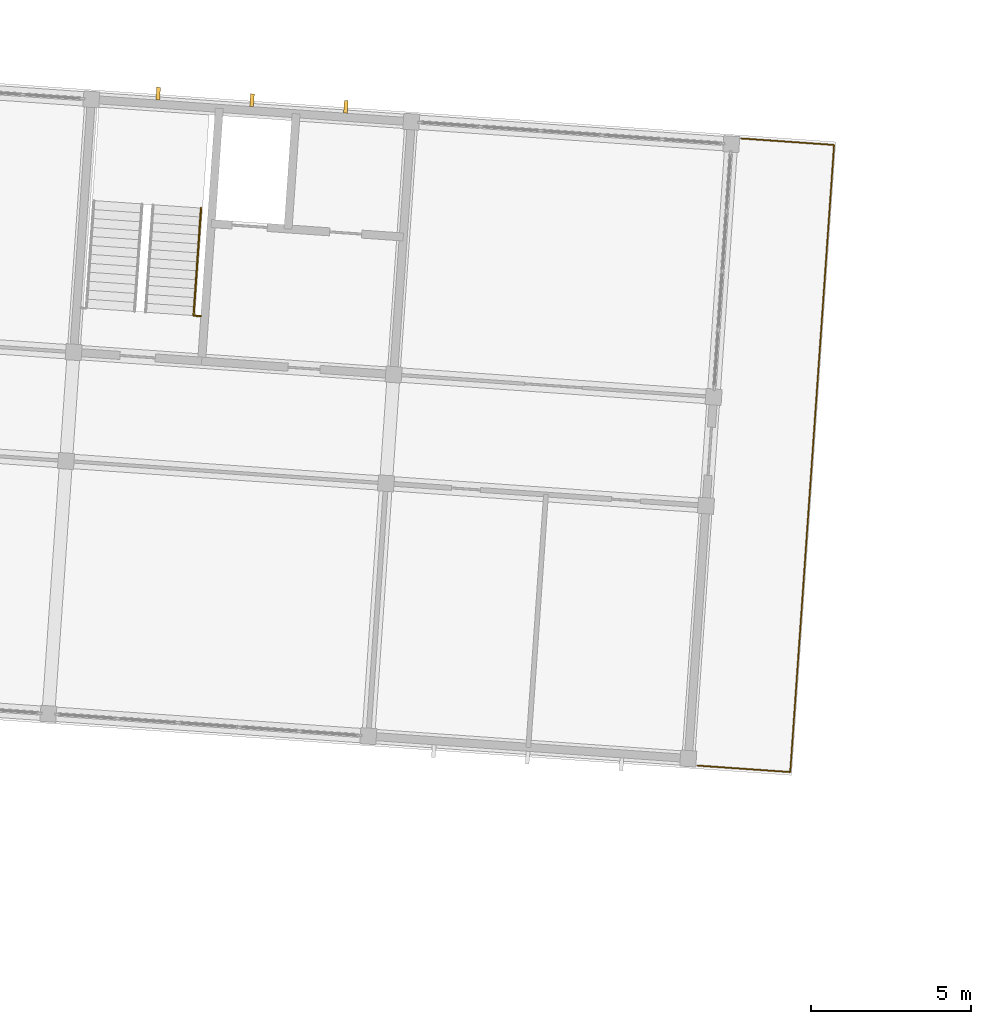
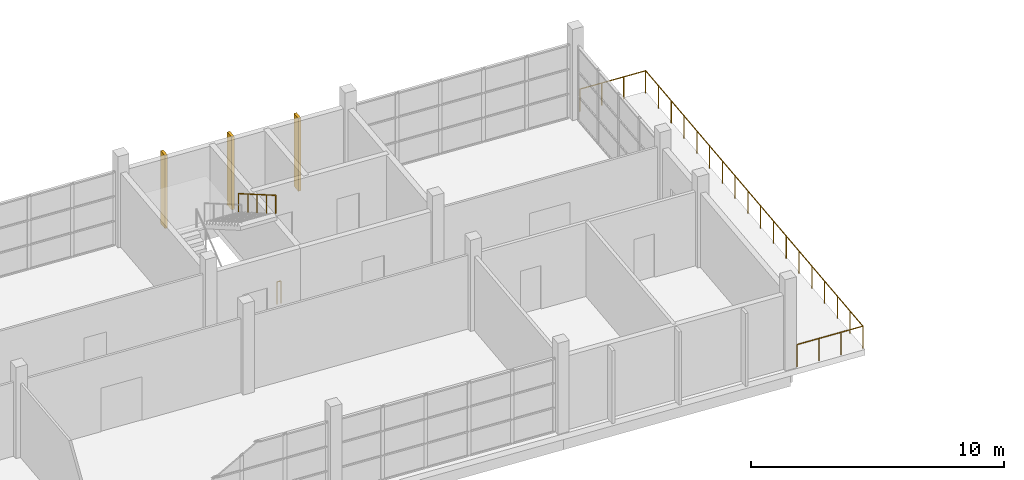
# One storey, part 50 of 50: 3 railings, 3 shading devices.
"""IFC4 building model written with IfcOpenShell, lengths in metres."""

from ifc_helpers import new_model, si_unit, direction, frame, origin, origin_2d, place, context, subcontext, project, spatial, polyline, circle, outline, extrude, material, type_object, element, save


model = new_model("IFC4")

# Units and contexts
model_context = context("Model", 3, precision=1e-05, world=origin(), true_north=direction((0.0, 1.0)))
body_context = subcontext(model_context, "Body", "Model", "MODEL_VIEW")
ifc_project = project(units=[si_unit("LENGTHUNIT", "METRE"), si_unit("AREAUNIT", "SQUARE_METRE"), si_unit("VOLUMEUNIT", "CUBIC_METRE"), si_unit("PLANEANGLEUNIT", "RADIAN"), si_unit("MASSUNIT", "GRAM", prefix="KILO")], contexts=[model_context])

# Site, building, storey
site_placement = place(None, origin())
site = spatial("IfcSite", under=ifc_project, at=site_placement, CompositionType="ELEMENT")
building_placement = place(site_placement, origin())
building = spatial("IfcBuilding", under=site, at=building_placement, Name="Windward Yard Aquatics Centre", CompositionType="ELEMENT")
storey_placement = place(building_placement, frame((0.0, 0.0, 18.199951171875)))
storey = spatial("IfcBuildingStorey", under=building, at=storey_placement, Name="L04", CompositionType="ELEMENT", Elevation=18.199951171875)

# Railings
ifc_material_1 = material(Name="Stainless steel 1.4529", Category="steel")
railing_type_1 = type_object("IfcRailingType", Name="W guard 1100", PredefinedType="GUARDRAIL", material=ifc_material_1)
railing_1_placement = place(storey_placement, frame((168.00244140625, 112.459228515625, 0.0)))
element("IfcRailing", 1, at=railing_1_placement, inside=storey, type_object=railing_type_1, Name="W.GR.TERR.L04", PredefinedType="GUARDRAIL", context=body_context, shape_type="SweptSolid", body=[
    extrude(circle(Radius=0.02392578125, at=origin_2d()), frame((0.0, 0.0, 1.076171875), z_axis=(0.997567346274, -0.069709322535, 0.0), x_axis=(0.069709322535, 0.997567346274, 0.0)), (0.0, 0.0, 1.0), 2.89990234375),
    extrude(circle(Radius=0.02392578125, at=origin_2d()), frame((2.892822265625, -0.2021484375, 1.076171875), z_axis=(0.069755373817, 0.997564127174, 0.0), x_axis=(-0.997564127174, 0.069755373817, 0.0)), (0.0, 0.0, 1.0), 19.599853515625),
    extrude(circle(Radius=0.02392578125, at=origin_2d()), frame((4.260009765625, 19.349853515625, 1.076171875), z_axis=(-0.997561488239, 0.069793102688, 0.0), x_axis=(-0.069793102688, -0.997561488239, 0.0)), (0.0, 0.0, 1.0), 2.89990234375),
    extrude(circle(Radius=0.02099609375, at=origin_2d()), origin(), (0.0, 0.0, 1.0), 1.052001953125),
    extrude(circle(Radius=0.02099609375, at=origin_2d()), frame((0.96435546875, -0.0673828125, 0.0)), (0.0, 0.0, 1.0), 1.052001953125),
    extrude(circle(Radius=0.02099609375, at=origin_2d()), frame((1.928466796875, -0.134765625, 0.0)), (0.0, 0.0, 1.0), 1.052001953125),
    extrude(circle(Radius=0.02099609375, at=origin_2d()), frame((2.892822265625, -0.2021484375, 0.0)), (0.0, 0.0, 1.0), 1.052001953125),
    extrude(circle(Radius=0.02099609375, at=origin_2d()), frame((2.97314453125, 0.947998046875, 0.0)), (0.0, 0.0, 1.0), 1.052001953125),
    extrude(circle(Radius=0.02099609375, at=origin_2d()), frame((3.0537109375, 2.09814453125, 0.0)), (0.0, 0.0, 1.0), 1.052001953125),
    extrude(circle(Radius=0.02099609375, at=origin_2d()), frame((3.134033203125, 3.248291015625, 0.0)), (0.0, 0.0, 1.0), 1.052001953125),
    extrude(circle(Radius=0.02099609375, at=origin_2d()), frame((3.214599609375, 4.3984375, 0.0)), (0.0, 0.0, 1.0), 1.052001953125),
    extrude(circle(Radius=0.02099609375, at=origin_2d()), frame((3.294921875, 5.54833984375, 0.0)), (0.0, 0.0, 1.0), 1.052001953125),
    extrude(circle(Radius=0.02099609375, at=origin_2d()), frame((3.375244140625, 6.698486328125, 0.0)), (0.0, 0.0, 1.0), 1.052001953125),
    extrude(circle(Radius=0.02099609375, at=origin_2d()), frame((3.455810546875, 7.8486328125, 0.0)), (0.0, 0.0, 1.0), 1.052001953125),
    extrude(circle(Radius=0.02099609375, at=origin_2d()), frame((3.5361328125, 8.998779296875, 0.0)), (0.0, 0.0, 1.0), 1.052001953125),
    extrude(circle(Radius=0.02099609375, at=origin_2d()), frame((3.61669921875, 10.14892578125, 0.0)), (0.0, 0.0, 1.0), 1.052001953125),
    extrude(circle(Radius=0.02099609375, at=origin_2d()), frame((3.697021484375, 11.299072265625, 0.0)), (0.0, 0.0, 1.0), 1.052001953125),
    extrude(circle(Radius=0.02099609375, at=origin_2d()), frame((3.777587890625, 12.44921875, 0.0)), (0.0, 0.0, 1.0), 1.052001953125),
    extrude(circle(Radius=0.02099609375, at=origin_2d()), frame((3.85791015625, 13.599365234375, 0.0)), (0.0, 0.0, 1.0), 1.052001953125),
    extrude(circle(Radius=0.02099609375, at=origin_2d()), frame((3.938232421875, 14.749267578125, 0.0)), (0.0, 0.0, 1.0), 1.052001953125),
    extrude(circle(Radius=0.02099609375, at=origin_2d()), frame((4.018798828125, 15.8994140625, 0.0)), (0.0, 0.0, 1.0), 1.052001953125),
    extrude(circle(Radius=0.02099609375, at=origin_2d()), frame((4.09912109375, 17.049560546875, 0.0)), (0.0, 0.0, 1.0), 1.052001953125),
    extrude(circle(Radius=0.02099609375, at=origin_2d()), frame((4.1796875, 18.19970703125, 0.0)), (0.0, 0.0, 1.0), 1.052001953125),
    extrude(circle(Radius=0.02099609375, at=origin_2d()), frame((4.260009765625, 19.349853515625, 0.0)), (0.0, 0.0, 1.0), 1.052001953125),
    extrude(circle(Radius=0.02099609375, at=origin_2d()), frame((3.295654296875, 19.417236328125, 0.0)), (0.0, 0.0, 1.0), 1.052001953125),
    extrude(circle(Radius=0.02099609375, at=origin_2d()), frame((2.33154296875, 19.48486328125, 0.0)), (0.0, 0.0, 1.0), 1.052001953125),
    extrude(circle(Radius=0.02099609375, at=origin_2d()), frame((1.3671875, 19.55224609375, 0.0)), (0.0, 0.0, 1.0), 1.052001953125),
])
railing_2_placement = place(storey_placement, frame((152.3427734375, 126.48583984375, 0.0)))
element("IfcRailing", 2, at=railing_2_placement, inside=storey, type_object=railing_type_1, Name="W.GS.E.L04.2", PredefinedType="GUARDRAIL", context=body_context, shape_type="SweptSolid", body=[
    extrude(circle(Radius=0.02392578125, at=origin_2d()), frame((0.0, 0.0, 1.076171875), z_axis=(0.997563824095, -0.069759707979, 0.0), x_axis=(0.069759707979, 0.997563824095, 0.0)), (0.0, 0.0, 1.0), 0.175048828125),
    extrude(circle(Radius=0.02099609375, at=origin_2d()), origin(), (0.0, 0.0, 1.0), 1.052001953125),
    extrude(circle(Radius=0.02099609375, at=origin_2d()), frame((0.174560546875, -0.01220703125, 0.0)), (0.0, 0.0, 1.0), 1.052001953125),
])
ifc_material_2 = material(Name="Stainless steel 1.4401", Category="steel")
railing_type_2 = type_object("IfcRailingType", Name="W handrail 900", PredefinedType="HANDRAIL", material=ifc_material_2)
railing_3_placement = place(storey_placement, frame((152.527099609375, 129.841064453125, 2.369140625)))
element("IfcRailing", 3, at=railing_3_placement, inside=storey, type_object=railing_type_2, Name="W.HR.E.L04.2R", PredefinedType="HANDRAIL", context=body_context, shape_type="SweptSolid", body=[
    extrude(circle(Radius=0.02392578125, at=origin_2d()), frame((0.0, 0.0, 0.8759765625), z_axis=(-0.059696136281, -0.853716932293, 0.51730433096), x_axis=(0.997564177681, -0.06975465151, 0.0)), (0.0, 0.0, 1.0), 3.926025390625),
    extrude(circle(Radius=0.02099609375, at=origin_2d()), origin(), (0.0, 0.0, 1.0), 0.851806640625),
    extrude(circle(Radius=0.02099609375, at=origin_2d()), frame((-0.05859375, -0.837890625, 0.5078125)), (0.0, 0.0, 1.0), 0.851806640625),
    extrude(circle(Radius=0.02099609375, at=origin_2d()), frame((-0.1171875, -1.67578125, 1.015625)), (0.0, 0.0, 1.0), 0.851806640625),
    extrude(circle(Radius=0.02099609375, at=origin_2d()), frame((-0.17578125, -2.513916015625, 1.523193359375)), (0.0, 0.0, 1.0), 0.851806640625),
    extrude(circle(Radius=0.02099609375, at=origin_2d()), frame((-0.234375, -3.351806640625, 2.031005859375)), (0.0, 0.0, 1.0), 0.851806640625),
])

# Shading devices
ifc_material_3 = material(Name="Timber-look aluminium batten, powder coated", Category="wood")
shading_device_type = type_object("IfcShadingDeviceType", Name="W vertical fin 120x400", PredefinedType="USERDEFINED", material=ifc_material_3)
shading_device_1_placement = place(storey_placement, origin())
element("IfcShadingDevice", 4, at=shading_device_1_placement, inside=storey, type_object=shading_device_type, Name="Vertical fin W.FW.L04.N.76.8.1.1", ObjectType="FIN", PredefinedType="USERDEFINED", context=body_context, shape_type="SweptSolid", body=[
    extrude(outline(polyline([(151.115478515625, 133.212890625), (151.2353515625, 133.204345703125), (151.26318359375, 133.603515625), (151.1435546875, 133.61181640625), (151.115478515625, 133.212890625)])), origin(), (0.0, 0.0, 1.0), 3.52001953125),
])
shading_device_2_placement = place(storey_placement, origin())
element("IfcShadingDevice", 5, at=shading_device_2_placement, inside=storey, type_object=shading_device_type, Name="Vertical fin W.FW.L04.N.76.8.1.2", ObjectType="FIN", PredefinedType="USERDEFINED", context=body_context, shape_type="SweptSolid", body=[
    extrude(outline(polyline([(154.041748046875, 133.008056640625), (154.16162109375, 132.999755859375), (154.189453125, 133.398681640625), (154.069580078125, 133.4072265625), (154.041748046875, 133.008056640625)])), origin(), (0.0, 0.0, 1.0), 3.52001953125),
])
shading_device_3_placement = place(storey_placement, origin())
element("IfcShadingDevice", 6, at=shading_device_3_placement, inside=storey, type_object=shading_device_type, Name="Vertical fin W.FW.L04.N.76.8.1.3", ObjectType="FIN", PredefinedType="USERDEFINED", context=body_context, shape_type="SweptSolid", body=[
    extrude(outline(polyline([(156.968017578125, 132.803466796875), (157.087646484375, 132.795166015625), (157.115478515625, 133.194091796875), (156.995849609375, 133.202392578125), (156.968017578125, 132.803466796875)])), origin(), (0.0, 0.0, 1.0), 3.52001953125),
])

save(model, "model.ifc")
